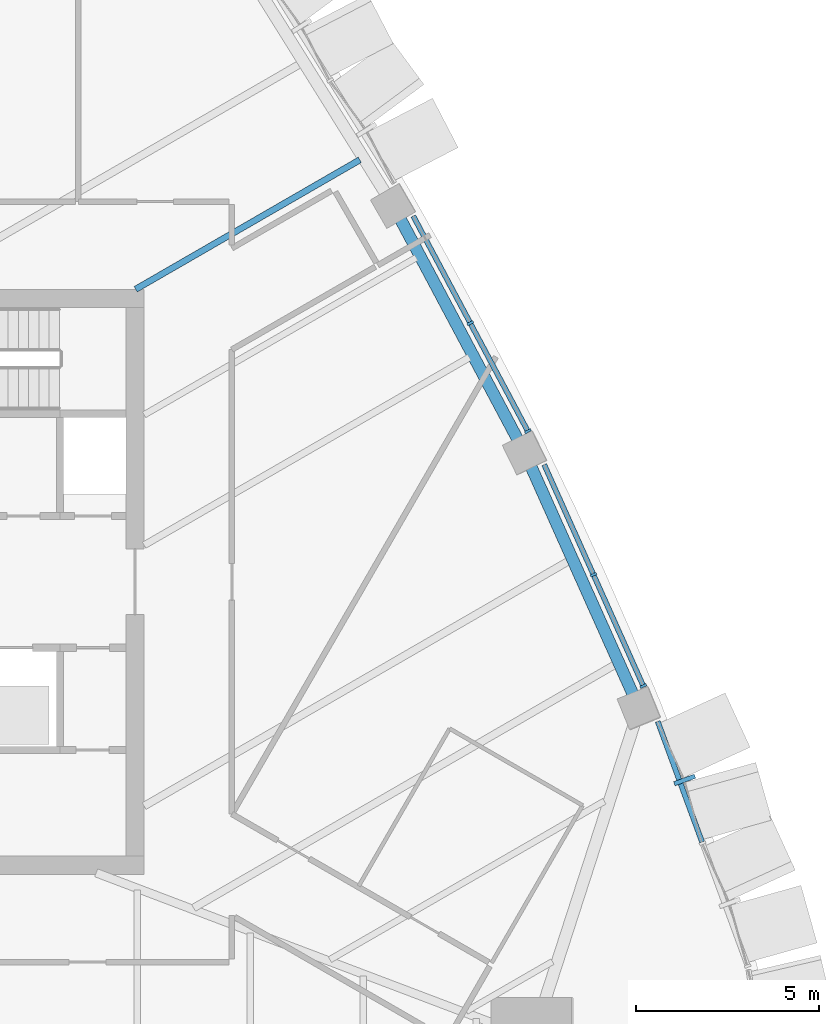
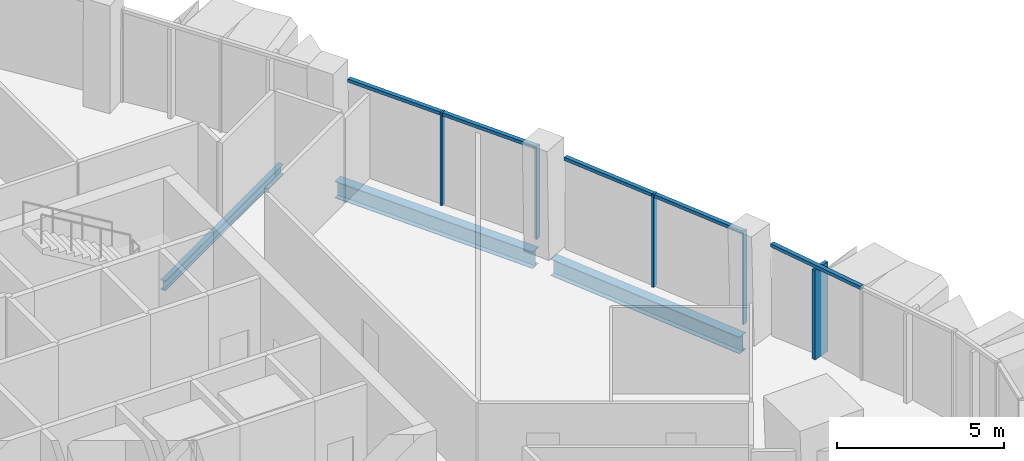
# One storey, part 5 of 18: 10 members, 3 beams, 3 elements without a shape of their own.
"""IFC4 building model written with IfcOpenShell, lengths in metres."""

import ifcopenshell
import ifcopenshell.guid

model = None  # the IFC model being written
_history = None  # IfcOwnerHistory: only IFC2X3 demands one
_inside = {}  # id of a spatial element -> (the spatial element, [elements in it])
_under = {}  # id of a project, library or spatial element -> (it, [spatial elements below it])
_declared = {}  # id of a project -> (the project, [libraries it declares])
_typed = {}  # id of a type object -> (the type object, [elements of that type])
_made_of = {}  # id of a material, layer set ... -> (it, [elements and type objects made of it])


def new_model(schema):
    """Start an empty IFC model of exactly this schema.

    Asked for "IFC4X3", IfcOpenShell would pick the latest addendum, in which some entities
    have other attributes; the version numbers below select the first issue.
    IFC2X3 requires an IfcOwnerHistory on every rooted entity: one is made here for all.
    """
    global model, _history
    if schema == "IFC4X3":
        model = ifcopenshell.file(schema_version=(4, 3, 0, 0))
    else:
        model = ifcopenshell.file(schema=schema)
    _inside.clear()
    _under.clear()
    _declared.clear()
    _typed.clear()
    _made_of.clear()
    _history = None
    if model.schema == "IFC2X3":
        org = make("IfcOrganization", Name="unknown")
        user = make(
            "IfcPersonAndOrganization",
            ThePerson=make("IfcPerson", FamilyName="unknown"),
            TheOrganization=org,
        )
        app = make(
            "IfcApplication",
            ApplicationDeveloper=org,
            Version="unknown",
            ApplicationFullName="unknown",
            ApplicationIdentifier="unknown",
        )
        _history = make(
            "IfcOwnerHistory",
            OwningUser=user,
            OwningApplication=app,
            ChangeAction="ADDED",
            CreationDate=0,
        )
    return model


def make(cls, **values):
    """One entity of the class cls with the attributes given. An attribute that is None is left unset."""
    return model.create_entity(
        cls, **{name: value for name, value in values.items() if value is not None}
    )


def rooted(cls, **values):
    """An entity with a GlobalId (a new one), such as an element, a storey or a relation."""
    return make(cls, GlobalId=ifcopenshell.guid.new(), OwnerHistory=_history, **values)


def si_unit(unit_type, name, prefix=None):
    """IfcSIUnit, for example si_unit("LENGTHUNIT", "METRE", prefix="MILLI")."""
    return make("IfcSIUnit", UnitType=unit_type, Prefix=prefix, Name=name)


def assignment(units):
    """IfcUnitAssignment: the units of a project."""
    return None if units is None else make("IfcUnitAssignment", Units=units)


def point(xyz):
    """IfcCartesianPoint."""
    return None if xyz is None else make("IfcCartesianPoint", Coordinates=xyz)


def direction(xyz):
    """IfcDirection."""
    return None if xyz is None else make("IfcDirection", DirectionRatios=xyz)


def frame(location, z_axis=None, x_axis=None):
    """IfcAxis2Placement3D, a coordinate frame: its origin and axes. An axis left out is left unset."""
    return make(
        "IfcAxis2Placement3D",
        Location=point(location),
        Axis=direction(z_axis),
        RefDirection=direction(x_axis),
    )


def frame_2d(location, x_axis=None):
    """IfcAxis2Placement2D, a coordinate frame in the plane: its origin and x axis."""
    return make(
        "IfcAxis2Placement2D", Location=point(location), RefDirection=direction(x_axis)
    )


def origin():
    """The frame at (0, 0, 0) with its axes left unset."""
    return frame((0.0, 0.0, 0.0))


def origin_2d():
    """The frame at (0, 0) in the plane with its x axis left unset."""
    return frame_2d((0.0, 0.0))


def place(relative_to, where):
    """IfcLocalPlacement: puts the frame where relative to a parent placement (None: the world)."""
    return make(
        "IfcLocalPlacement", PlacementRelTo=relative_to, RelativePlacement=where
    )


def context(
    kind, dimensions, precision=None, world=None, true_north=None, identifier=None
):
    """IfcGeometricRepresentationContext, for example the 3D "Model" context."""
    return make(
        "IfcGeometricRepresentationContext",
        ContextIdentifier=identifier,
        ContextType=kind,
        CoordinateSpaceDimension=dimensions,
        Precision=precision,
        WorldCoordinateSystem=world,
        TrueNorth=true_north,
    )


def subcontext(parent, identifier, kind, view, scale=None):
    """IfcGeometricRepresentationSubContext, for example "Body" below "Model"."""
    return make(
        "IfcGeometricRepresentationSubContext",
        ContextIdentifier=identifier,
        ContextType=kind,
        ParentContext=parent,
        TargetScale=scale,
        TargetView=view,
    )


def project(units=None, contexts=None):
    """IfcProject with its units and contexts."""
    return rooted(
        "IfcProject",
        Name="project",
        RepresentationContexts=contexts,
        UnitsInContext=assignment(units),
    )


def spatial(cls, under=None, at=None, **own):
    """A site, building, storey or space (cls), placed at a placement, below another one or the project."""
    s = rooted(cls, ObjectPlacement=at, **own)
    if under is not None:
        _under.setdefault(under.id(), (under, []))[1].append(s)
    return s


def profile(cls, at=None, kind="AREA", **sizes):
    """A parametric profile (cls). Its sizes go by their IFC names, for example OverallWidth=200.0."""
    return make(cls, ProfileType=kind, Position=at, **sizes)


def rectangle(**sizes):
    """IfcRectangleProfileDef."""
    return profile("IfcRectangleProfileDef", **sizes)


def i_section(**sizes):
    """IfcIShapeProfileDef."""
    return profile("IfcIShapeProfileDef", **sizes)


def extrude(swept, where, along, depth):
    """IfcExtrudedAreaSolid: the profile swept, set in the frame where, extruded along a direction by depth."""
    return make(
        "IfcExtrudedAreaSolid",
        SweptArea=swept,
        Position=where,
        ExtrudedDirection=direction(along),
        Depth=depth,
    )


def shape(context_of_items, identifier, shape_type, items):
    """IfcShapeRepresentation: the items that make up one representation, for example the "Body"."""
    return make(
        "IfcShapeRepresentation",
        ContextOfItems=context_of_items,
        RepresentationIdentifier=identifier,
        RepresentationType=shape_type,
        Items=items,
    )


def material(Name=None, Category=None):
    """IfcMaterial."""
    return make("IfcMaterial", Name=Name, Category=Category)


def layer(
    of_material, thickness, ventilated=None, Name=None, Category=None, Priority=None
):
    """IfcMaterialLayer: one layer of a wall or slab, of a material (None: an air gap)."""
    return make(
        "IfcMaterialLayer",
        Material=of_material,
        LayerThickness=thickness,
        IsVentilated=ventilated,
        Name=Name,
        Category=Category,
        Priority=Priority,
    )


def layer_set(layers, Name=None):
    """IfcMaterialLayerSet."""
    return make("IfcMaterialLayerSet", MaterialLayers=layers, LayerSetName=Name)


def material_profile(
    of_material, cross_section, Name=None, Category=None, Priority=None
):
    """IfcMaterialProfile: a cross section and its material."""
    return make(
        "IfcMaterialProfile",
        Name=Name,
        Material=of_material,
        Profile=cross_section,
        Priority=Priority,
        Category=Category,
    )


def profile_set(profiles, Name=None, composite=None):
    """IfcMaterialProfileSet."""
    return make(
        "IfcMaterialProfileSet",
        Name=Name,
        MaterialProfiles=profiles,
        CompositeProfile=composite,
    )


def made_of(thing, what):
    """Note that an element or type object is made of a material, layer set ...; save() writes the relation."""
    if what is not None:
        _made_of.setdefault(what.id(), (what, []))[1].append(thing)
    return thing


def type_object(cls, material=None, **own):
    """A type object (cls), such as IfcWallType, which elements share."""
    return made_of(rooted(cls, **own), material)


def element(
    cls,
    number,
    at=None,
    inside=None,
    cuts=None,
    type_object=None,
    material=None,
    context=None,
    identifier="Body",
    shape_type=None,
    held_by="IfcProductDefinitionShape",
    body=None,
    shapes=None,
    **own,
):
    """One element of the class cls, such as IfcWall. Its Tag is "e" and its number.

    at: its placement. inside: the storey or other place that contains it. cuts: it is an
    opening in that element (IfcRelVoidsElement). A single representation is given by context,
    identifier, shape_type and body (its items); several are given by shapes. held_by: the class
    of the entity that holds the representations. save() writes the other relations.
    """
    e = rooted(cls, Tag="e%d" % number, ObjectPlacement=at, **own)
    if body is not None:
        shapes = [shape(context, identifier, shape_type, body)]
    if shapes is not None:
        e.Representation = make(held_by, Representations=shapes)
    if inside is not None:
        _inside.setdefault(inside.id(), (inside, []))[1].append(e)
    if cuts is not None:
        rooted(
            "IfcRelVoidsElement", RelatingBuildingElement=cuts, RelatedOpeningElement=e
        )
    if type_object is not None:
        _typed.setdefault(type_object.id(), (type_object, []))[1].append(e)
    return made_of(e, material)


def aggregate(whole, parts):
    """IfcRelAggregates: a whole, such as a stair, and the parts it consists of."""
    return rooted("IfcRelAggregates", RelatingObject=whole, RelatedObjects=parts)


def save(model, path):
    """Write the relations noted so far, then the file.

    IfcRelAggregates (storeys below a building ...), IfcRelContainedInSpatialStructure (elements
    in a storey), IfcRelDefinesByType, IfcRelAssociatesMaterial and IfcRelDeclares: one each for
    every whole, place, type object, material and project.
    """
    for whole, parts in _under.values():
        aggregate(whole, parts)
    for where, things in _inside.values():
        rooted(
            "IfcRelContainedInSpatialStructure",
            RelatedElements=things,
            RelatingStructure=where,
        )
    for kind, things in _typed.values():
        rooted("IfcRelDefinesByType", RelatedObjects=things, RelatingType=kind)
    for what, things in _made_of.values():
        rooted("IfcRelAssociatesMaterial", RelatedObjects=things, RelatingMaterial=what)
    for by, libraries in _declared.values():
        rooted("IfcRelDeclares", RelatingContext=by, RelatedDefinitions=libraries)
    model.write(path)


model = new_model("IFC4")

# Units and contexts
model_context = context("Model", 3, precision=1e-05, world=origin(), true_north=direction((0.0, 1.0)))
body_context = subcontext(model_context, "Body", "Model", "MODEL_VIEW")
ifc_project = project(units=[si_unit("LENGTHUNIT", "METRE"), si_unit("AREAUNIT", "SQUARE_METRE"), si_unit("VOLUMEUNIT", "CUBIC_METRE"), si_unit("PLANEANGLEUNIT", "RADIAN"), si_unit("MASSUNIT", "GRAM", prefix="KILO")], contexts=[model_context])

# Site, building, storey
site_placement = place(None, origin())
site = spatial("IfcSite", under=ifc_project, at=site_placement, CompositionType="ELEMENT")
building_placement = place(site_placement, origin())
building = spatial("IfcBuilding", under=site, at=building_placement, Name="Sierra Prisma Convention Tower", CompositionType="ELEMENT")
storey_placement = place(building_placement, frame((0.0, 0.0, 255.0)))
storey = spatial("IfcBuildingStorey", under=building, at=storey_placement, Name="L57", CompositionType="ELEMENT", Elevation=255.0)

# Curtain wall, member
ifc_material_1 = material(Name="Aluminium and glass curtain wall", Category="aluminium")
ifc_layer_1 = layer(ifc_material_1, 0.179931640625)
ifc_layer_set_1 = layer_set([ifc_layer_1], Name="CW-2 Faceted crystal curtain wall")
curtain_wall_type_1 = type_object("IfcCurtainWallType", Name="CW-2 Faceted crystal curtain wall", PredefinedType="NOTDEFINED", material=ifc_layer_set_1)
curtain_wall_1_placement = place(storey_placement, origin())
curtain_wall_1 = element("IfcCurtainWall", 1, at=curtain_wall_1_placement, inside=storey, type_object=curtain_wall_type_1, Name="CW-2 NE1 L57", PredefinedType="NOTDEFINED")
ifc_material_2 = material(Name="Aluminium 6063-T6 bronze anodised", Category="aluminium")
ifc_material_profile_1 = material_profile(ifc_material_2, rectangle(XDim=0.1201171875, YDim=0.60009765625, at=origin_2d()), Name="ALU RIDGE BLADE 120x600")
ifc_profile_set_1 = profile_set([ifc_material_profile_1], Name="Aluminium 6063-T6 bronze anodised")
member_type_1 = type_object("IfcMemberType", Name="CW hip bronze", PredefinedType="MULLION", material=ifc_profile_set_1)
member_1_placement = place(storey_placement, frame((25.781494140625, -5.419921875, 0.0), z_axis=(0.0, 0.0, 1.0), x_axis=(-0.345273878198, 0.938501970714, 0.0)))
member_1 = element("IfcMember", 2, at=member_1_placement, type_object=member_type_1, Name="CW-2 ridge NE1.2", PredefinedType="MULLION", context=body_context, shape_type="SweptSolid", body=[
    extrude(rectangle(XDim=0.1201171875, YDim=0.60009765625, at=origin_2d()), origin(), (0.0, 0.0, 1.0), 3.280029296875),
])

# Curtain wall, members
ifc_material_3 = material(Name="Aluminium and glass curtain wall", Category="aluminium")
ifc_layer_2 = layer(ifc_material_3, 0.179931640625)
ifc_layer_set_2 = layer_set([ifc_layer_2], Name="CW-1 Plain shaft curtain wall")
curtain_wall_type_2 = type_object("IfcCurtainWallType", Name="CW-1 Plain shaft curtain wall", PredefinedType="NOTDEFINED", material=ifc_layer_set_2)
curtain_wall_2_placement = place(storey_placement, origin())
curtain_wall_2 = element("IfcCurtainWall", 3, at=curtain_wall_2_placement, inside=storey, type_object=curtain_wall_type_2, Name="CW-1 NE2 L57", PredefinedType="NOTDEFINED")
ifc_material_4 = material(Name="Aluminium 6063-T6 bronze anodised", Category="aluminium")
ifc_material_profile_2 = material_profile(ifc_material_4, rectangle(XDim=0.179931640625, YDim=0.070068359375, at=origin_2d()), Name="ALU MULLION 70x180")
ifc_profile_set_2 = profile_set([ifc_material_profile_2], Name="Aluminium 6063-T6 bronze anodised")
member_type_2 = type_object("IfcMemberType", Name="CW mullion bronze", PredefinedType="MULLION", material=ifc_profile_set_2)
member_2_placement = place(storey_placement, frame((24.650146484375, -2.849609375, 0.0), z_axis=(0.0, 0.0, 1.0), x_axis=(-0.912697941284, -0.408634883454, 0.0)))
member_2 = element("IfcMember", 4, at=member_2_placement, type_object=member_type_2, Name="CW-1 mullion NE2.1", PredefinedType="MULLION", context=body_context, shape_type="SweptSolid", body=[
    extrude(rectangle(XDim=0.179931640625, YDim=0.070068359375, at=origin_2d()), origin(), (0.0, 0.0, 1.0), 3.39990234375),
])
member_3_placement = place(storey_placement, frame((23.287841796875, 0.193359375, 0.0), z_axis=(0.0, 0.0, 1.0), x_axis=(-0.912697941284, -0.408634883454, 0.0)))
member_3 = element("IfcMember", 5, at=member_3_placement, type_object=member_type_2, Name="CW-1 mullion NE2.2", PredefinedType="MULLION", context=body_context, shape_type="SweptSolid", body=[
    extrude(rectangle(XDim=0.179931640625, YDim=0.070068359375, at=origin_2d()), origin(), (0.0, 0.0, 1.0), 3.39990234375),
])

curtain_wall_3_placement = place(storey_placement, origin())
curtain_wall_3 = element("IfcCurtainWall", 6, at=curtain_wall_3_placement, inside=storey, type_object=curtain_wall_type_2, Name="CW-1 NE3 L57", PredefinedType="NOTDEFINED")
member_4_placement = place(storey_placement, frame((21.493408203125, 4.117919921875, 0.0), z_axis=(0.0, 0.0, 1.0), x_axis=(-0.882622061156, -0.470083287471, 0.0)))
member_4 = element("IfcMember", 7, at=member_4_placement, type_object=member_type_2, Name="CW-1 mullion NE3.1", PredefinedType="MULLION", context=body_context, shape_type="SweptSolid", body=[
    extrude(rectangle(XDim=0.179931640625, YDim=0.070068359375, at=origin_2d()), origin(), (0.0, 0.0, 1.0), 3.39990234375),
])
member_5_placement = place(storey_placement, frame((19.918701171875, 7.074462890625, 0.0), z_axis=(0.0, 0.0, 1.0), x_axis=(-0.882622061156, -0.470083287471, 0.0)))
member_5 = element("IfcMember", 8, at=member_5_placement, type_object=member_type_2, Name="CW-1 mullion NE3.2", PredefinedType="MULLION", context=body_context, shape_type="SweptSolid", body=[
    extrude(rectangle(XDim=0.179931640625, YDim=0.070068359375, at=origin_2d()), origin(), (0.0, 0.0, 1.0), 3.39990234375),
])

# Member
ifc_material_5 = material(Name="Aluminium 6063-T6 bronze anodised", Category="aluminium")
ifc_material_profile_3 = material_profile(ifc_material_5, rectangle(XDim=0.139892578125, YDim=0.1201171875, at=origin_2d()), Name="ALU TRANSOM 120x140")
ifc_profile_set_3 = profile_set([ifc_material_profile_3], Name="Aluminium 6063-T6 bronze anodised")
member_type_3 = type_object("IfcMemberType", Name="CW transom bronze", PredefinedType="USERDEFINED", material=ifc_profile_set_3)
member_6_placement = place(storey_placement, frame((26.258056640625, -7.115234375, 3.340087890625), z_axis=(-0.345302542415, 0.938491424682, 0.0), x_axis=(-0.938491424682, -0.345302542415, 0.0)))
member_6 = element("IfcMember", 9, at=member_6_placement, type_object=member_type_3, Name="CW-1 transom NE1.2", ObjectType="TRANSOM", PredefinedType="USERDEFINED", context=body_context, shape_type="SweptSolid", body=[
    extrude(rectangle(XDim=0.139892578125, YDim=0.1201171875, at=origin_2d()), origin(), (0.0, 0.0, 1.0), 3.51123046875),
])

aggregate(curtain_wall_1, [member_6, member_1])

member_7_placement = place(storey_placement, frame((24.6357421875, -2.817626953125, 3.340087890625), z_axis=(-0.408600571416, 0.912713302762, 0.0), x_axis=(-0.912713302762, -0.408600571416, 0.0)))
member_7 = element("IfcMember", 10, at=member_7_placement, type_object=member_type_3, Name="CW-1 transom NE2.1", ObjectType="TRANSOM", PredefinedType="USERDEFINED", context=body_context, shape_type="SweptSolid", body=[
    extrude(rectangle(XDim=0.139892578125, YDim=0.1201171875, at=origin_2d()), origin(), (0.0, 0.0, 1.0), 3.26416015625),
])

member_8_placement = place(storey_placement, frame((23.2734375, 0.225341796875, 3.340087890625), z_axis=(-0.408600571416, 0.912713302762, 0.0), x_axis=(-0.912713302762, -0.408600571416, 0.0)))
member_8 = element("IfcMember", 11, at=member_8_placement, type_object=member_type_3, Name="CW-1 transom NE2.2", ObjectType="TRANSOM", PredefinedType="USERDEFINED", context=body_context, shape_type="SweptSolid", body=[
    extrude(rectangle(XDim=0.139892578125, YDim=0.1201171875, at=origin_2d()), origin(), (0.0, 0.0, 1.0), 3.26416015625),
])

aggregate(curtain_wall_2, [member_2, member_3, member_7, member_8])

member_9_placement = place(storey_placement, frame((21.47705078125, 4.148681640625, 3.340087890625), z_axis=(-0.470109126069, 0.88260829907, 0.0), x_axis=(-0.88260829907, -0.470109126069, 0.0)))
member_9 = element("IfcMember", 12, at=member_9_placement, type_object=member_type_3, Name="CW-1 transom NE3.1", ObjectType="TRANSOM", PredefinedType="USERDEFINED", context=body_context, shape_type="SweptSolid", body=[
    extrude(rectangle(XDim=0.139892578125, YDim=0.1201171875, at=origin_2d()), origin(), (0.0, 0.0, 1.0), 3.280029296875),
])

member_10_placement = place(storey_placement, frame((19.90234375, 7.10546875, 3.340087890625), z_axis=(-0.470140011078, 0.882591847902, 0.0), x_axis=(-0.882591847902, -0.470140011078, 0.0)))
member_10 = element("IfcMember", 13, at=member_10_placement, type_object=member_type_3, Name="CW-1 transom NE3.2", ObjectType="TRANSOM", PredefinedType="USERDEFINED", context=body_context, shape_type="SweptSolid", body=[
    extrude(rectangle(XDim=0.139892578125, YDim=0.1201171875, at=origin_2d()), origin(), (0.0, 0.0, 1.0), 3.27978515625),
])

aggregate(curtain_wall_3, [member_4, member_5, member_9, member_10])

# Beams
ifc_material_6 = material(Name="Steel ASTM A992 Gr 50", Category="steel")
ifc_material_profile_4 = material_profile(ifc_material_6, i_section(OverallWidth=0.172119140625, OverallDepth=0.35791015625, WebThickness=0.0078125, FlangeThickness=0.01318359375, at=origin_2d()), Name="W360x57")
ifc_profile_set_4 = profile_set([ifc_material_profile_4], Name="Steel ASTM A992 Gr 50")
beam_type_1 = type_object("IfcBeamType", Name="Floor joist W360x57", PredefinedType="JOIST", material=ifc_profile_set_4)
beam_1_placement = place(storey_placement, frame((16.8974609375, 11.5390625, -0.3291015625), z_axis=(-0.866035677566, -0.499982204867, 0.0), x_axis=(0.499982204867, -0.866035677566, 0.0)))
element("IfcBeam", 14, at=beam_1_placement, inside=storey, type_object=beam_type_1, Name="Floor joist L57 NE08", PredefinedType="JOIST", context=body_context, shape_type="SweptSolid", body=[
    extrude(i_section(OverallWidth=0.172119140625, OverallDepth=0.35791015625, WebThickness=0.0078125, FlangeThickness=0.01318359375, at=origin_2d()), origin(), (0.0, 0.0, 1.0), 7.078369140625),
])
ifc_material_7 = material(Name="Steel ASTM A992 Gr 50", Category="steel")
ifc_material_profile_5 = material_profile(ifc_material_7, i_section(OverallWidth=0.324951171875, OverallDepth=0.615966796875, WebThickness=0.013916015625, FlangeThickness=0.021484375, at=origin_2d()), Name="W610x174")
ifc_profile_set_5 = profile_set([ifc_material_profile_5], Name="Steel ASTM A992 Gr 50")
beam_type_2 = type_object("IfcBeamType", Name="Spandrel beam W610x174", PredefinedType="BEAM", material=ifc_profile_set_5)
beam_2_placement = place(storey_placement, frame((24.406982421875, -3.16259765625, -0.4580078125), z_axis=(-0.408607040504, 0.912710406674, 0.0), x_axis=(-0.912710406674, -0.408607040504, 0.0)))
element("IfcBeam", 15, at=beam_2_placement, inside=storey, type_object=beam_type_2, Name="Spandrel L57-08", PredefinedType="BEAM", context=body_context, shape_type="SweptSolid", body=[
    extrude(i_section(OverallWidth=0.324951171875, OverallDepth=0.615966796875, WebThickness=0.013916015625, FlangeThickness=0.021484375, at=origin_2d()), origin(), (0.0, 0.0, 1.0), 6.997314453125),
])
beam_3_placement = place(storey_placement, frame((21.257568359375, 3.816650390625, -0.4580078125), z_axis=(-0.470064811603, 0.88263190113, 0.0), x_axis=(-0.88263190113, -0.470064811603, 0.0)))
element("IfcBeam", 16, at=beam_3_placement, inside=storey, type_object=beam_type_2, Name="Spandrel L57-09", PredefinedType="BEAM", context=body_context, shape_type="SweptSolid", body=[
    extrude(i_section(OverallWidth=0.324951171875, OverallDepth=0.615966796875, WebThickness=0.013916015625, FlangeThickness=0.021484375, at=origin_2d()), origin(), (0.0, 0.0, 1.0), 6.99755859375),
])

save(model, "model.ifc")
